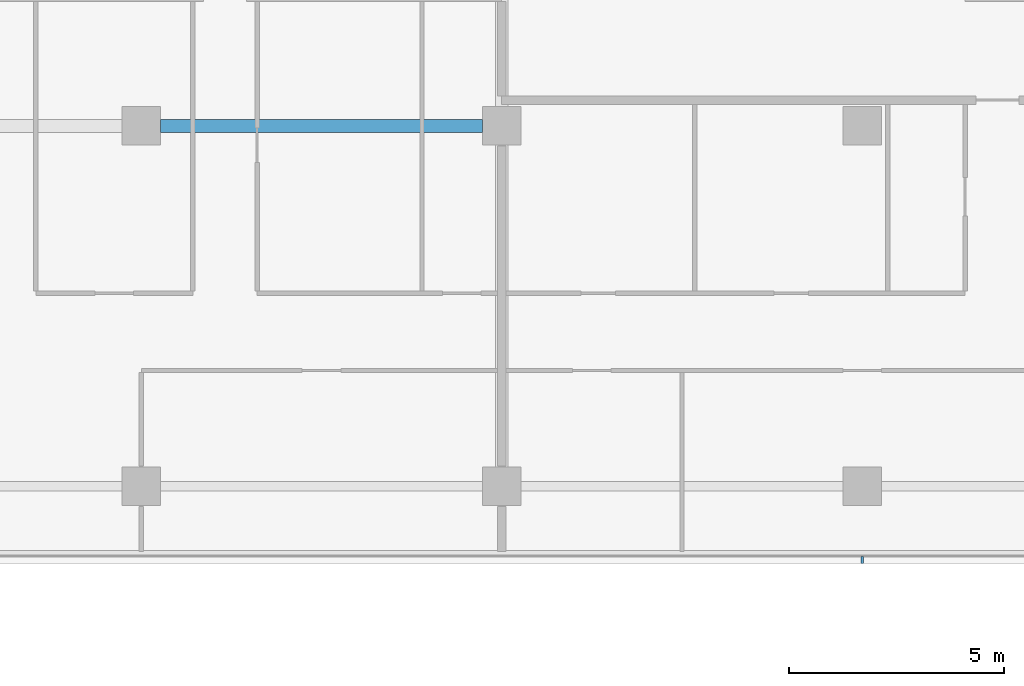
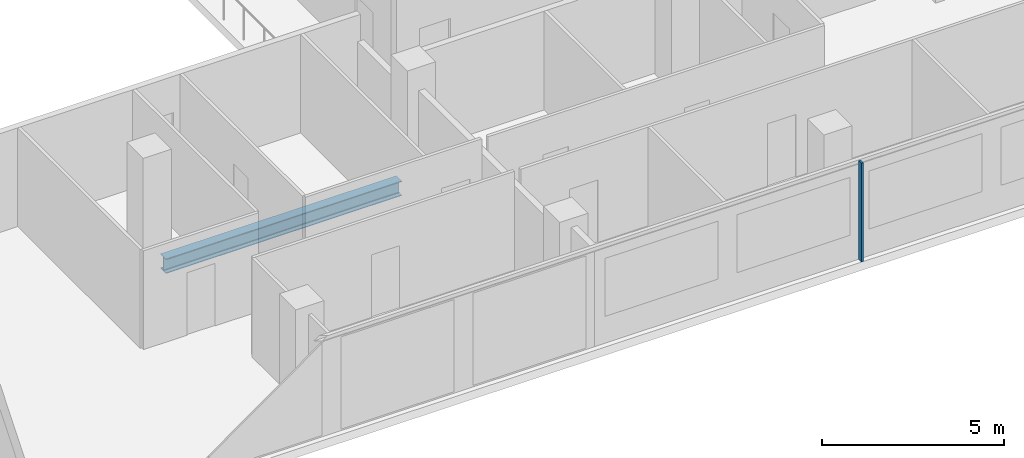
# One storey, part 8 of 30: 1 beam, 1 member, 1 element without a shape of its own.
"""IFC4 building model written with IfcOpenShell, lengths in metres."""

import ifcopenshell
import ifcopenshell.guid

model = None  # the IFC model being written
_history = None  # IfcOwnerHistory: only IFC2X3 demands one
_inside = {}  # id of a spatial element -> (the spatial element, [elements in it])
_under = {}  # id of a project, library or spatial element -> (it, [spatial elements below it])
_declared = {}  # id of a project -> (the project, [libraries it declares])
_typed = {}  # id of a type object -> (the type object, [elements of that type])
_made_of = {}  # id of a material, layer set ... -> (it, [elements and type objects made of it])


def new_model(schema):
    """Start an empty IFC model of exactly this schema.

    Asked for "IFC4X3", IfcOpenShell would pick the latest addendum, in which some entities
    have other attributes; the version numbers below select the first issue.
    IFC2X3 requires an IfcOwnerHistory on every rooted entity: one is made here for all.
    """
    global model, _history
    if schema == "IFC4X3":
        model = ifcopenshell.file(schema_version=(4, 3, 0, 0))
    else:
        model = ifcopenshell.file(schema=schema)
    _inside.clear()
    _under.clear()
    _declared.clear()
    _typed.clear()
    _made_of.clear()
    _history = None
    if model.schema == "IFC2X3":
        org = make("IfcOrganization", Name="unknown")
        user = make(
            "IfcPersonAndOrganization",
            ThePerson=make("IfcPerson", FamilyName="unknown"),
            TheOrganization=org,
        )
        app = make(
            "IfcApplication",
            ApplicationDeveloper=org,
            Version="unknown",
            ApplicationFullName="unknown",
            ApplicationIdentifier="unknown",
        )
        _history = make(
            "IfcOwnerHistory",
            OwningUser=user,
            OwningApplication=app,
            ChangeAction="ADDED",
            CreationDate=0,
        )
    return model


def make(cls, **values):
    """One entity of the class cls with the attributes given. An attribute that is None is left unset."""
    return model.create_entity(
        cls, **{name: value for name, value in values.items() if value is not None}
    )


def rooted(cls, **values):
    """An entity with a GlobalId (a new one), such as an element, a storey or a relation."""
    return make(cls, GlobalId=ifcopenshell.guid.new(), OwnerHistory=_history, **values)


def si_unit(unit_type, name, prefix=None):
    """IfcSIUnit, for example si_unit("LENGTHUNIT", "METRE", prefix="MILLI")."""
    return make("IfcSIUnit", UnitType=unit_type, Prefix=prefix, Name=name)


def assignment(units):
    """IfcUnitAssignment: the units of a project."""
    return None if units is None else make("IfcUnitAssignment", Units=units)


def point(xyz):
    """IfcCartesianPoint."""
    return None if xyz is None else make("IfcCartesianPoint", Coordinates=xyz)


def direction(xyz):
    """IfcDirection."""
    return None if xyz is None else make("IfcDirection", DirectionRatios=xyz)


def frame(location, z_axis=None, x_axis=None):
    """IfcAxis2Placement3D, a coordinate frame: its origin and axes. An axis left out is left unset."""
    return make(
        "IfcAxis2Placement3D",
        Location=point(location),
        Axis=direction(z_axis),
        RefDirection=direction(x_axis),
    )


def frame_2d(location, x_axis=None):
    """IfcAxis2Placement2D, a coordinate frame in the plane: its origin and x axis."""
    return make(
        "IfcAxis2Placement2D", Location=point(location), RefDirection=direction(x_axis)
    )


def origin():
    """The frame at (0, 0, 0) with its axes left unset."""
    return frame((0.0, 0.0, 0.0))


def origin_2d():
    """The frame at (0, 0) in the plane with its x axis left unset."""
    return frame_2d((0.0, 0.0))


def place(relative_to, where):
    """IfcLocalPlacement: puts the frame where relative to a parent placement (None: the world)."""
    return make(
        "IfcLocalPlacement", PlacementRelTo=relative_to, RelativePlacement=where
    )


def context(
    kind, dimensions, precision=None, world=None, true_north=None, identifier=None
):
    """IfcGeometricRepresentationContext, for example the 3D "Model" context."""
    return make(
        "IfcGeometricRepresentationContext",
        ContextIdentifier=identifier,
        ContextType=kind,
        CoordinateSpaceDimension=dimensions,
        Precision=precision,
        WorldCoordinateSystem=world,
        TrueNorth=true_north,
    )


def subcontext(parent, identifier, kind, view, scale=None):
    """IfcGeometricRepresentationSubContext, for example "Body" below "Model"."""
    return make(
        "IfcGeometricRepresentationSubContext",
        ContextIdentifier=identifier,
        ContextType=kind,
        ParentContext=parent,
        TargetScale=scale,
        TargetView=view,
    )


def project(units=None, contexts=None):
    """IfcProject with its units and contexts."""
    return rooted(
        "IfcProject",
        Name="project",
        RepresentationContexts=contexts,
        UnitsInContext=assignment(units),
    )


def spatial(cls, under=None, at=None, **own):
    """A site, building, storey or space (cls), placed at a placement, below another one or the project."""
    s = rooted(cls, ObjectPlacement=at, **own)
    if under is not None:
        _under.setdefault(under.id(), (under, []))[1].append(s)
    return s


def profile(cls, at=None, kind="AREA", **sizes):
    """A parametric profile (cls). Its sizes go by their IFC names, for example OverallWidth=200.0."""
    return make(cls, ProfileType=kind, Position=at, **sizes)


def rectangle(**sizes):
    """IfcRectangleProfileDef."""
    return profile("IfcRectangleProfileDef", **sizes)


def i_section(**sizes):
    """IfcIShapeProfileDef."""
    return profile("IfcIShapeProfileDef", **sizes)


def extrude(swept, where, along, depth):
    """IfcExtrudedAreaSolid: the profile swept, set in the frame where, extruded along a direction by depth."""
    return make(
        "IfcExtrudedAreaSolid",
        SweptArea=swept,
        Position=where,
        ExtrudedDirection=direction(along),
        Depth=depth,
    )


def shape(context_of_items, identifier, shape_type, items):
    """IfcShapeRepresentation: the items that make up one representation, for example the "Body"."""
    return make(
        "IfcShapeRepresentation",
        ContextOfItems=context_of_items,
        RepresentationIdentifier=identifier,
        RepresentationType=shape_type,
        Items=items,
    )


def material(Name=None, Category=None):
    """IfcMaterial."""
    return make("IfcMaterial", Name=Name, Category=Category)


def material_profile(
    of_material, cross_section, Name=None, Category=None, Priority=None
):
    """IfcMaterialProfile: a cross section and its material."""
    return make(
        "IfcMaterialProfile",
        Name=Name,
        Material=of_material,
        Profile=cross_section,
        Priority=Priority,
        Category=Category,
    )


def profile_set(profiles, Name=None, composite=None):
    """IfcMaterialProfileSet."""
    return make(
        "IfcMaterialProfileSet",
        Name=Name,
        MaterialProfiles=profiles,
        CompositeProfile=composite,
    )


def made_of(thing, what):
    """Note that an element or type object is made of a material, layer set ...; save() writes the relation."""
    if what is not None:
        _made_of.setdefault(what.id(), (what, []))[1].append(thing)
    return thing


def type_object(cls, material=None, **own):
    """A type object (cls), such as IfcWallType, which elements share."""
    return made_of(rooted(cls, **own), material)


def element(
    cls,
    number,
    at=None,
    inside=None,
    cuts=None,
    type_object=None,
    material=None,
    context=None,
    identifier="Body",
    shape_type=None,
    held_by="IfcProductDefinitionShape",
    body=None,
    shapes=None,
    **own,
):
    """One element of the class cls, such as IfcWall. Its Tag is "e" and its number.

    at: its placement. inside: the storey or other place that contains it. cuts: it is an
    opening in that element (IfcRelVoidsElement). A single representation is given by context,
    identifier, shape_type and body (its items); several are given by shapes. held_by: the class
    of the entity that holds the representations. save() writes the other relations.
    """
    e = rooted(cls, Tag="e%d" % number, ObjectPlacement=at, **own)
    if body is not None:
        shapes = [shape(context, identifier, shape_type, body)]
    if shapes is not None:
        e.Representation = make(held_by, Representations=shapes)
    if inside is not None:
        _inside.setdefault(inside.id(), (inside, []))[1].append(e)
    if cuts is not None:
        rooted(
            "IfcRelVoidsElement", RelatingBuildingElement=cuts, RelatedOpeningElement=e
        )
    if type_object is not None:
        _typed.setdefault(type_object.id(), (type_object, []))[1].append(e)
    return made_of(e, material)


def aggregate(whole, parts):
    """IfcRelAggregates: a whole, such as a stair, and the parts it consists of."""
    return rooted("IfcRelAggregates", RelatingObject=whole, RelatedObjects=parts)


def save(model, path):
    """Write the relations noted so far, then the file.

    IfcRelAggregates (storeys below a building ...), IfcRelContainedInSpatialStructure (elements
    in a storey), IfcRelDefinesByType, IfcRelAssociatesMaterial and IfcRelDeclares: one each for
    every whole, place, type object, material and project.
    """
    for whole, parts in _under.values():
        aggregate(whole, parts)
    for where, things in _inside.values():
        rooted(
            "IfcRelContainedInSpatialStructure",
            RelatedElements=things,
            RelatingStructure=where,
        )
    for kind, things in _typed.values():
        rooted("IfcRelDefinesByType", RelatedObjects=things, RelatingType=kind)
    for what, things in _made_of.values():
        rooted("IfcRelAssociatesMaterial", RelatedObjects=things, RelatingMaterial=what)
    for by, libraries in _declared.values():
        rooted("IfcRelDeclares", RelatingContext=by, RelatedDefinitions=libraries)
    model.write(path)


model = new_model("IFC4")

# Units and contexts
model_context = context("Model", 3, precision=1e-05, world=origin(), true_north=direction((0.0, 1.0)))
body_context = subcontext(model_context, "Body", "Model", "MODEL_VIEW")
ifc_project = project(units=[si_unit("LENGTHUNIT", "METRE"), si_unit("AREAUNIT", "SQUARE_METRE"), si_unit("VOLUMEUNIT", "CUBIC_METRE"), si_unit("PLANEANGLEUNIT", "RADIAN"), si_unit("MASSUNIT", "GRAM", prefix="KILO")], contexts=[model_context])

# Site, building, storey
site_placement = place(None, origin())
site = spatial("IfcSite", under=ifc_project, at=site_placement, CompositionType="ELEMENT")
building_placement = place(site_placement, origin())
building = spatial("IfcBuilding", under=site, at=building_placement, Name="Saffron Gate Tower", CompositionType="ELEMENT")
storey_placement = place(building_placement, frame((0.0, 0.0, 69.60009765625)))
storey = spatial("IfcBuildingStorey", under=building, at=storey_placement, Name="L16", CompositionType="ELEMENT", Elevation=69.60009765625)

# Beam
ifc_material_1 = material(Name="Structural steel S355", Category="steel")
ifc_material_profile_1 = material_profile(ifc_material_1, i_section(OverallWidth=0.300048828125, OverallDepth=0.489990234375, WebThickness=0.011962890625, FlangeThickness=0.02294921875, FilletRadius=0.027099609375, at=origin_2d()))
ifc_profile_set_1 = profile_set([ifc_material_profile_1], Name="Structural steel S355")
beam_type = type_object("IfcBeamType", Name="B8 HEA 500", PredefinedType="BEAM", material=ifc_profile_set_1)
beam_placement = place(storey_placement, frame((92.25, 40.199951171875, -0.525146484375), z_axis=(1.0, 0.0, 0.0), x_axis=(0.0, 1.0, 0.0)))
element("IfcBeam", 1, at=beam_placement, inside=storey, type_object=beam_type, Name="B8 FLOOR GIRDER", PredefinedType="BEAM", context=body_context, shape_type="SweptSolid", body=[
    extrude(i_section(OverallWidth=0.300048828125, OverallDepth=0.489990234375, WebThickness=0.011962890625, FlangeThickness=0.02294921875, FilletRadius=0.027099609375, at=origin_2d()), origin(), (0.0, 0.0, 1.0), 7.5),
])

# Curtain wall, member
ifc_material_2 = material(Name="Aluminium, bronze anodised", Category="aluminium")
curtain_wall_type = type_object("IfcCurtainWallType", Name="CWS1 curtain wall front facade", PredefinedType="NOTDEFINED", material=ifc_material_2)
curtain_wall_placement = place(storey_placement, origin())
curtain_wall = element("IfcCurtainWall", 2, at=curtain_wall_placement, inside=storey, type_object=curtain_wall_type, Name="CWS1 run 1", PredefinedType="NOTDEFINED")
ifc_material_profile_2 = material_profile(ifc_material_2, rectangle(XDim=0.159912109375, YDim=0.06005859375, at=origin_2d()))
ifc_profile_set_2 = profile_set([ifc_material_profile_2], Name="Aluminium, bronze anodised")
member_type = type_object("IfcMemberType", Name="CWS1 mullion 60x160", PredefinedType="MULLION", material=ifc_profile_set_2)
member_placement = place(storey_placement, frame((108.60009765625, 30.080078125, 0.0), z_axis=(0.0, 0.0, 1.0), x_axis=(0.0, 1.0, 0.0)))
member = element("IfcMember", 3, at=member_placement, type_object=member_type, Name="CWS1 mullion 8", PredefinedType="MULLION", context=body_context, shape_type="SweptSolid", body=[
    extrude(rectangle(XDim=0.159912109375, YDim=0.06005859375, at=origin_2d()), origin(), (0.0, 0.0, 1.0), 3.31982421875),
])
aggregate(curtain_wall, [member])

save(model, "model.ifc")
